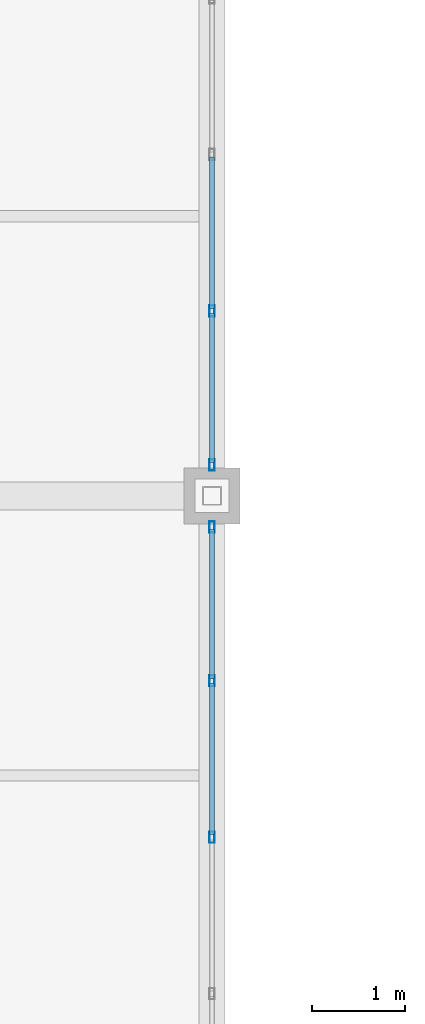
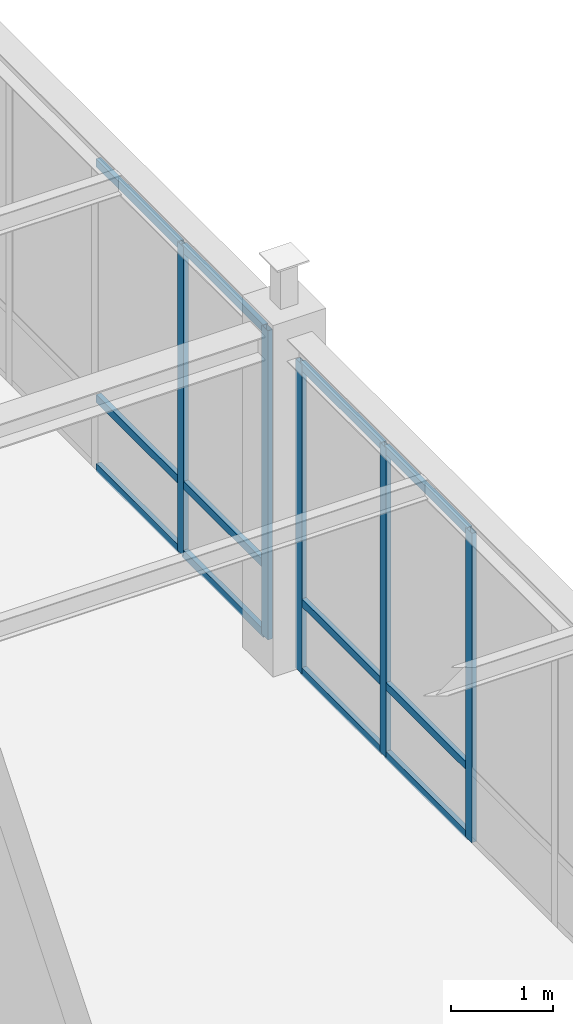
# One storey, part 51 of 97: 17 members, 2 elements without a shape of their own.
"""IFC4 building model written with IfcOpenShell, lengths in metres."""

from ifc_helpers import new_model, si_unit, direction, frame, origin, origin_2d, place, context, subcontext, project, spatial, hollow_rectangle, extrude, material, material_profile, profile_set, type_object, element, aggregate, save


model = new_model("IFC4")

# Units and contexts
model_context = context("Model", 3, precision=1e-05, world=origin(), true_north=direction((0.0, 1.0)))
body_context = subcontext(model_context, "Body", "Model", "MODEL_VIEW")
ifc_project = project(units=[si_unit("LENGTHUNIT", "METRE"), si_unit("AREAUNIT", "SQUARE_METRE"), si_unit("VOLUMEUNIT", "CUBIC_METRE"), si_unit("PLANEANGLEUNIT", "RADIAN"), si_unit("MASSUNIT", "GRAM", prefix="KILO")], contexts=[model_context])

# Site, building, storey
site_placement = place(None, origin())
site = spatial("IfcSite", under=ifc_project, at=site_placement, CompositionType="ELEMENT")
building_placement = place(site_placement, origin())
building = spatial("IfcBuilding", under=site, at=building_placement, Name="Lykobir Media Centre", CompositionType="ELEMENT")
storey_placement = place(building_placement, frame((0.0, 0.0, 23.39990234375)))
storey = spatial("IfcBuildingStorey", under=building, at=storey_placement, Name="L05", CompositionType="ELEMENT", Elevation=23.39990234375)

# Curtain wall, members
ifc_material = material(Name="Anodized Aluminium AW-6060", Category="aluminium")
curtain_wall_type = type_object("IfcCurtainWallType", Name="CW-COURT-B", PredefinedType="NOTDEFINED", material=ifc_material)
curtain_wall_1_placement = place(storey_placement, origin())
curtain_wall_1 = element("IfcCurtainWall", 1, at=curtain_wall_1_placement, inside=storey, type_object=curtain_wall_type, Name="Curtain wall CW2-L05-0182", PredefinedType="NOTDEFINED")
ifc_material_profile_1 = material_profile(ifc_material, hollow_rectangle(XDim=0.054931640625, YDim=0.1201171875, WallThickness=0.003173828125, at=origin_2d()), Name="ALU MULLION 55x120")
ifc_profile_set_1 = profile_set([ifc_material_profile_1], Name="Anodized Aluminium AW-6060")
member_type_1 = type_object("IfcMemberType", Name="CWM-120", PredefinedType="MULLION", material=ifc_profile_set_1)
member_1_placement = place(storey_placement, frame((99.0, 35.66748046875, 0.0), z_axis=(0.0, 0.0, 1.0), x_axis=(1.0, 0.0, 0.0)))
member_1 = element("IfcMember", 2, at=member_1_placement, type_object=member_type_1, Name="CW2-L05-0182 mullion 1", PredefinedType="MULLION", context=body_context, shape_type="SweptSolid", body=[
    extrude(hollow_rectangle(XDim=0.054931640625, YDim=0.1201171875, WallThickness=0.003173828125, at=origin_2d()), origin(), (0.0, 0.0, 1.0), 3.695068359375),
])
member_2_placement = place(storey_placement, frame((99.0, 34.01708984375, 0.0), z_axis=(0.0, 0.0, 1.0), x_axis=(1.0, 0.0, 0.0)))
member_2 = element("IfcMember", 3, at=member_2_placement, type_object=member_type_1, Name="CW2-L05-0182 mullion 2", PredefinedType="MULLION", context=body_context, shape_type="SweptSolid", body=[
    extrude(hollow_rectangle(XDim=0.054931640625, YDim=0.1201171875, WallThickness=0.003173828125, at=origin_2d()), origin(), (0.0, 0.0, 1.0), 3.695068359375),
])
member_3_placement = place(storey_placement, frame((99.0, 32.339111328125, 0.0), z_axis=(0.0, 0.0, 1.0), x_axis=(1.0, 0.0, 0.0)))
member_3 = element("IfcMember", 4, at=member_3_placement, type_object=member_type_1, Name="CW2-L05-0182 mullion 3", PredefinedType="MULLION", context=body_context, shape_type="SweptSolid", body=[
    extrude(hollow_rectangle(XDim=0.054931640625, YDim=0.1201171875, WallThickness=0.003173828125, at=origin_2d()), origin(), (0.0, 0.0, 1.0), 3.695068359375),
])

curtain_wall_2_placement = place(storey_placement, origin())
curtain_wall_2 = element("IfcCurtainWall", 5, at=curtain_wall_2_placement, inside=storey, type_object=curtain_wall_type, Name="Curtain wall CW2-L05-0183", PredefinedType="NOTDEFINED")
member_4_placement = place(storey_placement, frame((99.0, 37.98291015625, 0.0), z_axis=(0.0, 0.0, 1.0), x_axis=(1.0, 0.0, 0.0)))
member_4 = element("IfcMember", 6, at=member_4_placement, type_object=member_type_1, Name="CW2-L05-0183 mullion 5", PredefinedType="MULLION", context=body_context, shape_type="SweptSolid", body=[
    extrude(hollow_rectangle(XDim=0.054931640625, YDim=0.1201171875, WallThickness=0.003173828125, at=origin_2d()), origin(), (0.0, 0.0, 1.0), 3.695068359375),
])
member_5_placement = place(storey_placement, frame((99.0, 36.33251953125, 0.0), z_axis=(0.0, 0.0, 1.0), x_axis=(1.0, 0.0, 0.0)))
member_5 = element("IfcMember", 7, at=member_5_placement, type_object=member_type_1, Name="CW2-L05-0183 mullion 6", PredefinedType="MULLION", context=body_context, shape_type="SweptSolid", body=[
    extrude(hollow_rectangle(XDim=0.054931640625, YDim=0.1201171875, WallThickness=0.003173828125, at=origin_2d()), origin(), (0.0, 0.0, 1.0), 3.695068359375),
])

# Member
ifc_material_profile_2 = material_profile(ifc_material, hollow_rectangle(XDim=0.054931640625, YDim=0.094970703125, WallThickness=0.0029296875, at=origin_2d()), Name="ALU TRANSOM 55x95")
ifc_profile_set_2 = profile_set([ifc_material_profile_2], Name="Anodized Aluminium AW-6060")
member_type_2 = type_object("IfcMemberType", Name="CWT-095", PredefinedType="USERDEFINED", material=ifc_profile_set_2)
member_6_placement = place(storey_placement, frame((99.0, 35.639892578125, 0.027587890625), z_axis=(0.0, -1.0, 0.0), x_axis=(1.0, 0.0, 0.0)))
member_6 = element("IfcMember", 8, at=member_6_placement, type_object=member_type_2, Name="CW2-L05-0182 transom 1.1", ObjectType="TRANSOM", PredefinedType="USERDEFINED", context=body_context, shape_type="SweptSolid", body=[
    extrude(hollow_rectangle(XDim=0.054931640625, YDim=0.094970703125, WallThickness=0.0029296875, at=origin_2d()), origin(), (0.0, 0.0, 1.0), 1.595458984375),
])

member_7_placement = place(storey_placement, frame((99.0, 35.639892578125, 0.85009765625), z_axis=(0.0, -1.0, 0.0), x_axis=(1.0, 0.0, 0.0)))
member_7 = element("IfcMember", 9, at=member_7_placement, type_object=member_type_2, Name="CW2-L05-0182 transom 1.2", ObjectType="TRANSOM", PredefinedType="USERDEFINED", context=body_context, shape_type="SweptSolid", body=[
    extrude(hollow_rectangle(XDim=0.054931640625, YDim=0.094970703125, WallThickness=0.0029296875, at=origin_2d()), origin(), (0.0, 0.0, 1.0), 1.595458984375),
])

member_8_placement = place(storey_placement, frame((99.0, 35.639892578125, 3.66748046875), z_axis=(0.0, -1.0, 0.0), x_axis=(1.0, 0.0, 0.0)))
member_8 = element("IfcMember", 10, at=member_8_placement, type_object=member_type_2, Name="CW2-L05-0182 transom 1.3", ObjectType="TRANSOM", PredefinedType="USERDEFINED", context=body_context, shape_type="SweptSolid", body=[
    extrude(hollow_rectangle(XDim=0.054931640625, YDim=0.094970703125, WallThickness=0.0029296875, at=origin_2d()), origin(), (0.0, 0.0, 1.0), 1.595458984375),
])

member_9_placement = place(storey_placement, frame((99.0, 33.989501953125, 0.027587890625), z_axis=(0.0, -1.0, 0.0), x_axis=(1.0, 0.0, 0.0)))
member_9 = element("IfcMember", 11, at=member_9_placement, type_object=member_type_2, Name="CW2-L05-0182 transom 2.1", ObjectType="TRANSOM", PredefinedType="USERDEFINED", context=body_context, shape_type="SweptSolid", body=[
    extrude(hollow_rectangle(XDim=0.054931640625, YDim=0.094970703125, WallThickness=0.0029296875, at=origin_2d()), origin(), (0.0, 0.0, 1.0), 1.623046875),
])

member_10_placement = place(storey_placement, frame((99.0, 33.989501953125, 0.85009765625), z_axis=(0.0, -1.0, 0.0), x_axis=(1.0, 0.0, 0.0)))
member_10 = element("IfcMember", 12, at=member_10_placement, type_object=member_type_2, Name="CW2-L05-0182 transom 2.2", ObjectType="TRANSOM", PredefinedType="USERDEFINED", context=body_context, shape_type="SweptSolid", body=[
    extrude(hollow_rectangle(XDim=0.054931640625, YDim=0.094970703125, WallThickness=0.0029296875, at=origin_2d()), origin(), (0.0, 0.0, 1.0), 1.623046875),
])

member_11_placement = place(storey_placement, frame((99.0, 33.989501953125, 3.66748046875), z_axis=(0.0, -1.0, 0.0), x_axis=(1.0, 0.0, 0.0)))
member_11 = element("IfcMember", 13, at=member_11_placement, type_object=member_type_2, Name="CW2-L05-0182 transom 2.3", ObjectType="TRANSOM", PredefinedType="USERDEFINED", context=body_context, shape_type="SweptSolid", body=[
    extrude(hollow_rectangle(XDim=0.054931640625, YDim=0.094970703125, WallThickness=0.0029296875, at=origin_2d()), origin(), (0.0, 0.0, 1.0), 1.623046875),
])

aggregate(curtain_wall_1, [member_1, member_2, member_3, member_6, member_7, member_8, member_9, member_10, member_11])

member_12_placement = place(storey_placement, frame((99.0, 39.633544921875, 0.027587890625), z_axis=(0.0, -1.0, 0.0), x_axis=(1.0, 0.0, 0.0)))
member_12 = element("IfcMember", 14, at=member_12_placement, type_object=member_type_2, Name="CW2-L05-0183 transom 4.1", ObjectType="TRANSOM", PredefinedType="USERDEFINED", context=body_context, shape_type="SweptSolid", body=[
    extrude(hollow_rectangle(XDim=0.054931640625, YDim=0.094970703125, WallThickness=0.0029296875, at=origin_2d()), origin(), (0.0, 0.0, 1.0), 1.623046875),
])

member_13_placement = place(storey_placement, frame((99.0, 39.633544921875, 0.85009765625), z_axis=(0.0, -1.0, 0.0), x_axis=(1.0, 0.0, 0.0)))
member_13 = element("IfcMember", 15, at=member_13_placement, type_object=member_type_2, Name="CW2-L05-0183 transom 4.2", ObjectType="TRANSOM", PredefinedType="USERDEFINED", context=body_context, shape_type="SweptSolid", body=[
    extrude(hollow_rectangle(XDim=0.054931640625, YDim=0.094970703125, WallThickness=0.0029296875, at=origin_2d()), origin(), (0.0, 0.0, 1.0), 1.623046875),
])

member_14_placement = place(storey_placement, frame((99.0, 39.633544921875, 3.66748046875), z_axis=(0.0, -1.0, 0.0), x_axis=(1.0, 0.0, 0.0)))
member_14 = element("IfcMember", 16, at=member_14_placement, type_object=member_type_2, Name="CW2-L05-0183 transom 4.3", ObjectType="TRANSOM", PredefinedType="USERDEFINED", context=body_context, shape_type="SweptSolid", body=[
    extrude(hollow_rectangle(XDim=0.054931640625, YDim=0.094970703125, WallThickness=0.0029296875, at=origin_2d()), origin(), (0.0, 0.0, 1.0), 1.623046875),
])

member_15_placement = place(storey_placement, frame((99.0, 37.95556640625, 0.027587890625), z_axis=(0.0, -1.0, 0.0), x_axis=(1.0, 0.0, 0.0)))
member_15 = element("IfcMember", 17, at=member_15_placement, type_object=member_type_2, Name="CW2-L05-0183 transom 5.1", ObjectType="TRANSOM", PredefinedType="USERDEFINED", context=body_context, shape_type="SweptSolid", body=[
    extrude(hollow_rectangle(XDim=0.054931640625, YDim=0.094970703125, WallThickness=0.0029296875, at=origin_2d()), origin(), (0.0, 0.0, 1.0), 1.595458984375),
])

member_16_placement = place(storey_placement, frame((99.0, 37.95556640625, 0.85009765625), z_axis=(0.0, -1.0, 0.0), x_axis=(1.0, 0.0, 0.0)))
member_16 = element("IfcMember", 18, at=member_16_placement, type_object=member_type_2, Name="CW2-L05-0183 transom 5.2", ObjectType="TRANSOM", PredefinedType="USERDEFINED", context=body_context, shape_type="SweptSolid", body=[
    extrude(hollow_rectangle(XDim=0.054931640625, YDim=0.094970703125, WallThickness=0.0029296875, at=origin_2d()), origin(), (0.0, 0.0, 1.0), 1.595458984375),
])

member_17_placement = place(storey_placement, frame((99.0, 37.95556640625, 3.66748046875), z_axis=(0.0, -1.0, 0.0), x_axis=(1.0, 0.0, 0.0)))
member_17 = element("IfcMember", 19, at=member_17_placement, type_object=member_type_2, Name="CW2-L05-0183 transom 5.3", ObjectType="TRANSOM", PredefinedType="USERDEFINED", context=body_context, shape_type="SweptSolid", body=[
    extrude(hollow_rectangle(XDim=0.054931640625, YDim=0.094970703125, WallThickness=0.0029296875, at=origin_2d()), origin(), (0.0, 0.0, 1.0), 1.595458984375),
])

aggregate(curtain_wall_2, [member_4, member_5, member_12, member_13, member_14, member_15, member_16, member_17])

save(model, "model.ifc")
